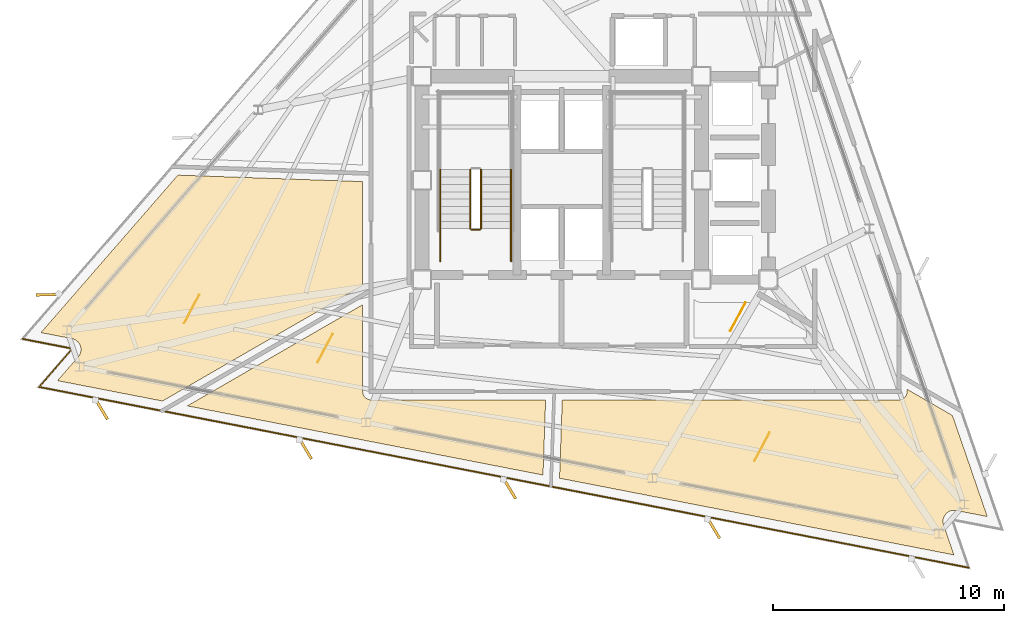
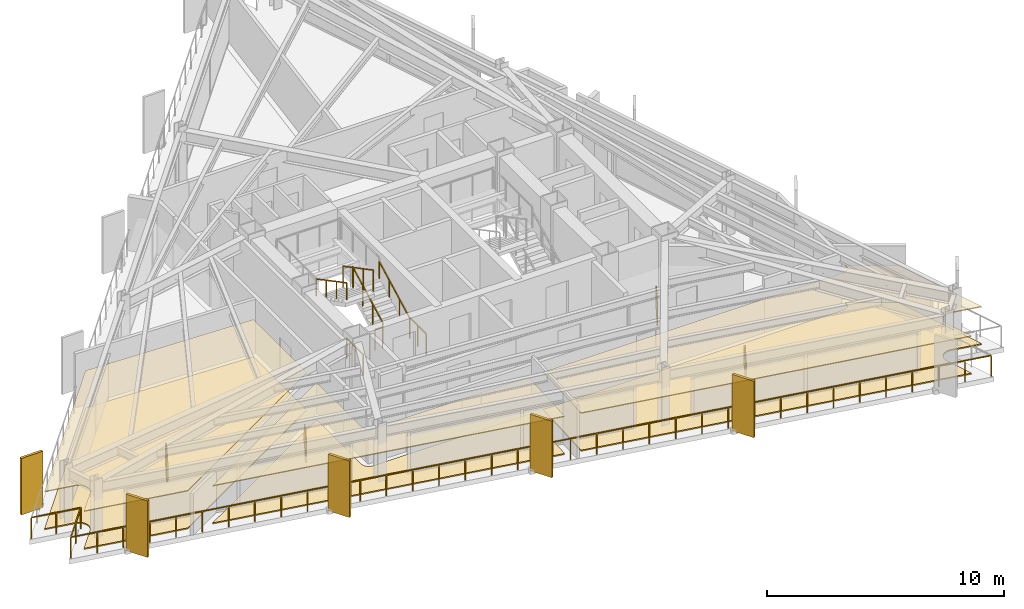
# One storey, part 11 of 13: 10 coverings, 8 railings, 5 shading devices.
"""IFC4 building model written with IfcOpenShell, lengths in metres."""

from ifc_helpers import new_model, si_unit, direction, frame, origin, origin_2d, place, context, subcontext, project, spatial, polyline, rectangle, outline, extrude, material, layer, layer_set, type_object, element, save


model = new_model("IFC4")

# Units and contexts
model_context = context("Model", 3, precision=1e-05, world=origin(), true_north=direction((0.0, 1.0)))
body_context = subcontext(model_context, "Body", "Model", "MODEL_VIEW")
ifc_project = project(units=[si_unit("LENGTHUNIT", "METRE"), si_unit("AREAUNIT", "SQUARE_METRE"), si_unit("VOLUMEUNIT", "CUBIC_METRE"), si_unit("PLANEANGLEUNIT", "RADIAN"), si_unit("MASSUNIT", "GRAM", prefix="KILO")], contexts=[model_context])

# Site, building, storey
site_placement = place(None, origin())
site = spatial("IfcSite", under=ifc_project, at=site_placement, CompositionType="ELEMENT")
building_placement = place(site_placement, origin())
building = spatial("IfcBuilding", under=site, at=building_placement, Name="Rocaltana Carrier Exchange", CompositionType="ELEMENT")
storey_placement = place(building_placement, frame((0.0, 0.0, 165.43994140625)))
storey = spatial("IfcBuildingStorey", under=building, at=storey_placement, Name="L52", CompositionType="ELEMENT", Elevation=165.43994140625)

# Coverings
ifc_material_1 = material(Name="Calcium Sulphate & Aluminium Pedestal", Category="aluminium")
ifc_layer_1 = layer(ifc_material_1, 0.06005859375)
ifc_layer_set_1 = layer_set([ifc_layer_1], Name="Calcium Sulphate & Aluminium Pedestal")
covering_type_1 = type_object("IfcCoveringType", Name="Anti-Static Raised Exchange Access Floor 60", PredefinedType="FLOORING", material=ifc_layer_set_1)
covering_1_placement = place(storey_placement, origin())
element("IfcCovering", 1, at=covering_1_placement, inside=storey, type_object=covering_type_1, Name="L52 Quiet Focus Lounge Finish Floor", PredefinedType="FLOORING", context=body_context, shape_type="SweptSolid", body=[
    extrude(outline(polyline([(-20.927490234375, -7.6455078125), (-20.918701171875, -7.635009765625), (-20.906494140625, -7.619140625), (-20.890380859375, -7.596435546875), (-20.879638671875, -7.57958984375), (-20.86572265625, -7.555419921875), (-20.85693359375, -7.53759765625), (-20.845703125, -7.511962890625), (-20.83837890625, -7.493408203125), (-20.829833984375, -7.466796875), (-20.824462890625, -7.447509765625), (-20.818603515625, -7.42041015625), (-20.815185546875, -7.400634765625), (-20.81201171875, -7.372802734375), (-20.810546875, -7.35302734375), (-20.81005859375, -7.3251953125), (-20.810791015625, -7.30517578125), (-20.81298828125, -7.27734375), (-20.815673828125, -7.257568359375), (-20.82080078125, -7.230224609375), (-20.8251953125, -7.210693359375), (-20.8330078125, -7.183837890625), (-20.839599609375, -7.1650390625), (-20.849853515625, -7.13916015625), (-20.8583984375, -7.12109375), (-20.87109375, -7.09619140625), (-20.88134765625, -7.0791015625), (-20.896484375, -7.055908203125), (-20.908447265625, -7.039794921875), (-20.92578125, -7.01806640625), (-20.939208984375, -7.003173828125), (-20.958984375, -6.9833984375), (-20.9736328125, -6.969970703125), (-20.9951171875, -6.9521484375), (-21.010986328125, -6.940185546875), (-21.0341796875, -6.924560546875), (-21.051513671875, -6.914306640625), (-21.075927734375, -6.901123046875), (-21.093994140625, -6.892578125), (-21.119873046875, -6.882080078125), (-21.138671875, -6.875244140625), (-21.165283203125, -6.8671875), (-21.184814453125, -6.862548828125), (-21.1982421875, -6.859619140625), (-22.541748046875, -6.598388671875), (-16.61474609375, 0.219970703125), (-8.610107421875, -0.0595703125), (-8.610107421875, -4.555419921875), (-17.281494140625, -9.561767578125), (-21.82568359375, -8.6787109375), (-20.927490234375, -7.6455078125)])), origin(), (0.0, 0.0, 1.0), 0.06005859375),
])
covering_2_placement = place(storey_placement, origin())
element("IfcCovering", 2, at=covering_2_placement, inside=storey, type_object=covering_type_1, Name="L52 Quiet Focus Lounge Finish Floor", PredefinedType="FLOORING", context=body_context, shape_type="SweptSolid", body=[
    extrude(outline(polyline([(-16.204345703125, -9.771240234375), (-8.610107421875, -5.38671875), (-8.610107421875, -9.14990234375), (-8.609619140625, -9.163818359375), (-8.609375, -9.171630859375), (-8.606689453125, -9.198974609375), (-8.60546875, -9.206787109375), (-8.60009765625, -9.233642578125), (-8.59814453125, -9.2412109375), (-8.590087890625, -9.267578125), (-8.58740234375, -9.27490234375), (-8.576904296875, -9.30029296875), (-8.57373046875, -9.307373046875), (-8.560791015625, -9.331787109375), (-8.556640625, -9.33837890625), (-8.54150390625, -9.361083984375), (-8.53662109375, -9.367431640625), (-8.519287109375, -9.388916015625), (-8.513916015625, -9.39453125), (-8.49462890625, -9.4140625), (-8.48876953125, -9.419189453125), (-8.467529296875, -9.436767578125), (-8.461181640625, -9.44140625), (-8.4384765625, -9.456787109375), (-8.431640625, -9.460693359375), (-8.407470703125, -9.4736328125), (-8.400390625, -9.47705078125), (-8.375, -9.487548828125), (-8.36767578125, -9.490234375), (-8.34130859375, -9.498291015625), (-8.33349609375, -9.5), (-8.306640625, -9.50537109375), (-8.298828125, -9.506591796875), (-8.271484375, -9.50927734375), (-8.263671875, -9.509765625), (-8.25, -9.510009765625), (-0.6923828125, -9.510009765625), (-0.805908203125, -12.764404296875), (-16.204345703125, -9.771240234375)])), origin(), (0.0, 0.0, 1.0), 0.06005859375),
])
covering_3_placement = place(storey_placement, origin())
element("IfcCovering", 3, at=covering_3_placement, inside=storey, type_object=covering_type_1, Name="L52 Cloud Architecture Office Finish Floor", PredefinedType="FLOORING", context=body_context, shape_type="SweptSolid", body=[
    extrude(outline(polyline([(18.4287109375, -14.562255859375), (17.085205078125, -14.301025390625), (17.0712890625, -14.298828125), (17.051513671875, -14.2958984375), (17.023681640625, -14.29345703125), (17.00390625, -14.29248046875), (16.975830078125, -14.292724609375), (16.9560546875, -14.2939453125), (16.92822265625, -14.296875), (16.90869140625, -14.300048828125), (16.88134765625, -14.305908203125), (16.862060546875, -14.310791015625), (16.83544921875, -14.319091796875), (16.816650390625, -14.326171875), (16.791015625, -14.337158203125), (16.773193359375, -14.345947265625), (16.748779296875, -14.359619140625), (16.731689453125, -14.3701171875), (16.708984375, -14.385986328125), (16.693115234375, -14.398193359375), (16.671875, -14.416259765625), (16.6572265625, -14.429931640625), (16.637939453125, -14.449951171875), (16.625, -14.465087890625), (16.607666015625, -14.487060546875), (16.59619140625, -14.50341796875), (16.581298828125, -14.52685546875), (16.5712890625, -14.544189453125), (16.558837890625, -14.569091796875), (16.55078125, -14.58740234375), (16.540771484375, -14.613525390625), (16.534423828125, -14.63232421875), (16.527099609375, -14.6591796875), (16.522705078125, -14.6787109375), (16.518310546875, -14.706298828125), (16.515869140625, -14.72607421875), (16.513916015625, -14.75390625), (16.513671875, -14.77392578125), (16.5146484375, -14.8017578125), (16.51611328125, -14.82177734375), (16.52001953125, -14.849365234375), (16.5234375, -14.868896484375), (16.52978515625, -14.89599609375), (16.535400390625, -14.915283203125), (16.539794921875, -14.9287109375), (16.9853515625, -16.22265625), (-0.09033203125, -12.9033203125), (0.028076171875, -9.510009765625), (14.60009765625, -9.510009765625), (14.61376953125, -9.509765625), (14.62158203125, -9.50927734375), (14.64892578125, -9.506591796875), (14.65673828125, -9.50537109375), (14.68359375, -9.5), (14.69140625, -9.498291015625), (14.717529296875, -9.490234375), (14.724853515625, -9.487548828125), (14.750244140625, -9.47705078125), (14.75732421875, -9.4736328125), (14.78173828125, -9.460693359375), (14.788330078125, -9.456787109375), (14.811279296875, -9.44140625), (14.8173828125, -9.436767578125), (14.8388671875, -9.419189453125), (14.844482421875, -9.4140625), (14.864013671875, -9.39453125), (14.869384765625, -9.388916015625), (14.88671875, -9.367431640625), (14.891357421875, -9.361083984375), (14.90673828125, -9.33837890625), (14.91064453125, -9.331787109375), (14.923583984375, -9.307373046875), (14.927001953125, -9.30029296875), (14.9375, -9.27490234375), (14.940185546875, -9.267578125), (14.9482421875, -9.2412109375), (14.9501953125, -9.233642578125), (14.955322265625, -9.206787109375), (14.95654296875, -9.198974609375), (14.959228515625, -9.171630859375), (14.959716796875, -9.163818359375), (14.9599609375, -9.14990234375), (14.9599609375, -9.052978515625), (16.92138671875, -10.185302734375), (18.4287109375, -14.562255859375)])), origin(), (0.0, 0.0, 1.0), 0.06005859375),
])
ifc_material_2 = material(Name="Mineral Fibre & Powder-Coated Aluminium", Category="aluminium")
ifc_layer_2 = layer(ifc_material_2, 0.044921875)
ifc_layer_set_2 = layer_set([ifc_layer_2], Name="Mineral Fibre & Powder-Coated Aluminium")
covering_type_2 = type_object("IfcCoveringType", Name="Micro-Perforated Acoustic Ceiling 45", PredefinedType="CEILING", material=ifc_layer_set_2)
covering_4_placement = place(storey_placement, frame((0.0, 0.0, 1.93310546875)))
element("IfcCovering", 4, at=covering_4_placement, inside=storey, type_object=covering_type_2, Name="L52 Quiet Focus Lounge Acoustic Ceiling", PredefinedType="CEILING", context=body_context, shape_type="SweptSolid", body=[
    extrude(outline(polyline([(-20.927490234375, -7.6455078125), (-20.918701171875, -7.635009765625), (-20.906494140625, -7.619140625), (-20.890380859375, -7.596435546875), (-20.879638671875, -7.57958984375), (-20.86572265625, -7.555419921875), (-20.85693359375, -7.53759765625), (-20.845703125, -7.511962890625), (-20.83837890625, -7.493408203125), (-20.829833984375, -7.466796875), (-20.824462890625, -7.447509765625), (-20.818603515625, -7.42041015625), (-20.815185546875, -7.400634765625), (-20.81201171875, -7.372802734375), (-20.810546875, -7.35302734375), (-20.81005859375, -7.3251953125), (-20.810791015625, -7.30517578125), (-20.81298828125, -7.27734375), (-20.815673828125, -7.257568359375), (-20.82080078125, -7.230224609375), (-20.8251953125, -7.210693359375), (-20.8330078125, -7.183837890625), (-20.839599609375, -7.1650390625), (-20.849853515625, -7.13916015625), (-20.8583984375, -7.12109375), (-20.87109375, -7.09619140625), (-20.88134765625, -7.0791015625), (-20.896484375, -7.055908203125), (-20.908447265625, -7.039794921875), (-20.92578125, -7.01806640625), (-20.939208984375, -7.003173828125), (-20.958984375, -6.9833984375), (-20.9736328125, -6.969970703125), (-20.9951171875, -6.9521484375), (-21.010986328125, -6.940185546875), (-21.0341796875, -6.924560546875), (-21.051513671875, -6.914306640625), (-21.075927734375, -6.901123046875), (-21.093994140625, -6.892578125), (-21.119873046875, -6.882080078125), (-21.138671875, -6.875244140625), (-21.165283203125, -6.8671875), (-21.184814453125, -6.862548828125), (-21.1982421875, -6.859619140625), (-22.541748046875, -6.598388671875), (-16.61474609375, 0.219970703125), (-8.610107421875, -0.0595703125), (-8.610107421875, -4.555419921875), (-17.281494140625, -9.561767578125), (-21.82568359375, -8.6787109375), (-20.927490234375, -7.6455078125)])), origin(), (0.0, 0.0, 1.0), 0.044921875),
])
covering_5_placement = place(storey_placement, frame((0.0, 0.0, 1.93310546875)))
element("IfcCovering", 5, at=covering_5_placement, inside=storey, type_object=covering_type_2, Name="L52 Quiet Focus Lounge Acoustic Ceiling", PredefinedType="CEILING", context=body_context, shape_type="SweptSolid", body=[
    extrude(outline(polyline([(-16.204345703125, -9.771240234375), (-8.610107421875, -5.38671875), (-8.610107421875, -9.14990234375), (-8.609619140625, -9.163818359375), (-8.609375, -9.171630859375), (-8.606689453125, -9.198974609375), (-8.60546875, -9.206787109375), (-8.60009765625, -9.233642578125), (-8.59814453125, -9.2412109375), (-8.590087890625, -9.267578125), (-8.58740234375, -9.27490234375), (-8.576904296875, -9.30029296875), (-8.57373046875, -9.307373046875), (-8.560791015625, -9.331787109375), (-8.556640625, -9.33837890625), (-8.54150390625, -9.361083984375), (-8.53662109375, -9.367431640625), (-8.519287109375, -9.388916015625), (-8.513916015625, -9.39453125), (-8.49462890625, -9.4140625), (-8.48876953125, -9.419189453125), (-8.467529296875, -9.436767578125), (-8.461181640625, -9.44140625), (-8.4384765625, -9.456787109375), (-8.431640625, -9.460693359375), (-8.407470703125, -9.4736328125), (-8.400390625, -9.47705078125), (-8.375, -9.487548828125), (-8.36767578125, -9.490234375), (-8.34130859375, -9.498291015625), (-8.33349609375, -9.5), (-8.306640625, -9.50537109375), (-8.298828125, -9.506591796875), (-8.271484375, -9.50927734375), (-8.263671875, -9.509765625), (-8.25, -9.510009765625), (-0.6923828125, -9.510009765625), (-0.805908203125, -12.764404296875), (-16.204345703125, -9.771240234375)])), origin(), (0.0, 0.0, 1.0), 0.044921875),
])
covering_6_placement = place(storey_placement, frame((0.0, 0.0, 1.93310546875)))
element("IfcCovering", 6, at=covering_6_placement, inside=storey, type_object=covering_type_2, Name="L52 Cloud Architecture Office Acoustic Ceiling", PredefinedType="CEILING", context=body_context, shape_type="SweptSolid", body=[
    extrude(outline(polyline([(18.4287109375, -14.562255859375), (17.085205078125, -14.301025390625), (17.0712890625, -14.298828125), (17.051513671875, -14.2958984375), (17.023681640625, -14.29345703125), (17.00390625, -14.29248046875), (16.975830078125, -14.292724609375), (16.9560546875, -14.2939453125), (16.92822265625, -14.296875), (16.90869140625, -14.300048828125), (16.88134765625, -14.305908203125), (16.862060546875, -14.310791015625), (16.83544921875, -14.319091796875), (16.816650390625, -14.326171875), (16.791015625, -14.337158203125), (16.773193359375, -14.345947265625), (16.748779296875, -14.359619140625), (16.731689453125, -14.3701171875), (16.708984375, -14.385986328125), (16.693115234375, -14.398193359375), (16.671875, -14.416259765625), (16.6572265625, -14.429931640625), (16.637939453125, -14.449951171875), (16.625, -14.465087890625), (16.607666015625, -14.487060546875), (16.59619140625, -14.50341796875), (16.581298828125, -14.52685546875), (16.5712890625, -14.544189453125), (16.558837890625, -14.569091796875), (16.55078125, -14.58740234375), (16.540771484375, -14.613525390625), (16.534423828125, -14.63232421875), (16.527099609375, -14.6591796875), (16.522705078125, -14.6787109375), (16.518310546875, -14.706298828125), (16.515869140625, -14.72607421875), (16.513916015625, -14.75390625), (16.513671875, -14.77392578125), (16.5146484375, -14.8017578125), (16.51611328125, -14.82177734375), (16.52001953125, -14.849365234375), (16.5234375, -14.868896484375), (16.52978515625, -14.89599609375), (16.535400390625, -14.915283203125), (16.539794921875, -14.9287109375), (16.9853515625, -16.22265625), (-0.09033203125, -12.9033203125), (0.028076171875, -9.510009765625), (14.60009765625, -9.510009765625), (14.61376953125, -9.509765625), (14.62158203125, -9.50927734375), (14.64892578125, -9.506591796875), (14.65673828125, -9.50537109375), (14.68359375, -9.5), (14.69140625, -9.498291015625), (14.717529296875, -9.490234375), (14.724853515625, -9.487548828125), (14.750244140625, -9.47705078125), (14.75732421875, -9.4736328125), (14.78173828125, -9.460693359375), (14.788330078125, -9.456787109375), (14.811279296875, -9.44140625), (14.8173828125, -9.436767578125), (14.8388671875, -9.419189453125), (14.844482421875, -9.4140625), (14.864013671875, -9.39453125), (14.869384765625, -9.388916015625), (14.88671875, -9.367431640625), (14.891357421875, -9.361083984375), (14.90673828125, -9.33837890625), (14.91064453125, -9.331787109375), (14.923583984375, -9.307373046875), (14.927001953125, -9.30029296875), (14.9375, -9.27490234375), (14.940185546875, -9.267578125), (14.9482421875, -9.2412109375), (14.9501953125, -9.233642578125), (14.955322265625, -9.206787109375), (14.95654296875, -9.198974609375), (14.959228515625, -9.171630859375), (14.959716796875, -9.163818359375), (14.9599609375, -9.14990234375), (14.9599609375, -9.052978515625), (16.92138671875, -10.185302734375), (18.4287109375, -14.562255859375)])), origin(), (0.0, 0.0, 1.0), 0.044921875),
])

# Railings
ifc_material_3 = material(Name="Brushed Architectural Stainless Tube", Category="steel")
ifc_layer_3 = layer(ifc_material_3, 0.048095703125)
ifc_layer_set_3 = layer_set([ifc_layer_3], Name="Brushed Architectural Stainless Tube")
railing_type_1 = type_object("IfcRailingType", Name="Stair Wall Handrail 920", PredefinedType="HANDRAIL", material=ifc_layer_set_3)
railing_1_placement = place(storey_placement, frame((-2.18994140625, -2.10009765625, 0.1689453125)))
element("IfcRailing", 7, at=railing_1_placement, inside=storey, type_object=railing_type_1, Name="L52 ST-1 stair handrail 1", PredefinedType="HANDRAIL", context=body_context, shape_type="SweptSolid", body=[
    extrude(rectangle(XDim=0.048095703125, YDim=0.048095703125, at=origin_2d()), frame((0.0, 0.0, 0.8759765625), z_axis=(0.0, 0.884394423565, 0.466740295633), x_axis=(-1.0, 0.0, 0.0)), (0.0, 0.0, 1.0), 2.894775390625),
    extrude(rectangle(XDim=0.0419921875, YDim=0.0419921875, at=origin_2d()), origin(), (0.0, 0.0, 1.0), 0.851806640625),
    extrude(rectangle(XDim=0.0419921875, YDim=0.0419921875, at=origin_2d()), frame((0.0, 0.853271484375, 0.450439453125)), (0.0, 0.0, 1.0), 0.851806640625),
    extrude(rectangle(XDim=0.0419921875, YDim=0.0419921875, at=origin_2d()), frame((0.0, 1.706787109375, 0.900634765625)), (0.0, 0.0, 1.0), 0.851806640625),
    extrude(rectangle(XDim=0.0419921875, YDim=0.0419921875, at=origin_2d()), frame((0.0, 2.56005859375, 1.35107421875)), (0.0, 0.0, 1.0), 0.851806640625),
])
railing_2_placement = place(storey_placement, frame((-5.25, 0.4599609375, 1.68896484375)))
element("IfcRailing", 8, at=railing_2_placement, inside=storey, type_object=railing_type_1, Name="L52 ST-1 stair handrail 2", PredefinedType="HANDRAIL", context=body_context, shape_type="SweptSolid", body=[
    extrude(rectangle(XDim=0.048095703125, YDim=0.048095703125, at=origin_2d()), frame((0.0, 0.0, 0.8759765625), z_axis=(0.0, -0.884394423565, 0.466740295633), x_axis=(1.0, 0.0, 0.0)), (0.0, 0.0, 1.0), 2.894775390625),
    extrude(rectangle(XDim=0.0419921875, YDim=0.0419921875, at=origin_2d()), origin(), (0.0, 0.0, 1.0), 0.851806640625),
    extrude(rectangle(XDim=0.0419921875, YDim=0.0419921875, at=origin_2d()), frame((0.0, -0.853271484375, 0.450439453125)), (0.0, 0.0, 1.0), 0.851806640625),
    extrude(rectangle(XDim=0.0419921875, YDim=0.0419921875, at=origin_2d()), frame((0.0, -1.706787109375, 0.900634765625)), (0.0, 0.0, 1.0), 0.851806640625),
    extrude(rectangle(XDim=0.0419921875, YDim=0.0419921875, at=origin_2d()), frame((0.0, -2.56005859375, 1.35107421875)), (0.0, 0.0, 1.0), 0.851806640625),
])
ifc_material_4 = material(Name="Powder-Coated Aluminium 6063-T6", Category="aluminium")
ifc_layer_4 = layer(ifc_material_4, 0.048095703125)
ifc_layer_set_4 = layer_set([ifc_layer_4], Name="Powder-Coated Aluminium 6063-T6")
railing_type_2 = type_object("IfcRailingType", Name="Stair Well Guardrail 1100", PredefinedType="GUARDRAIL", material=ifc_layer_set_4)
railing_3_placement = place(storey_placement, frame((-3.489990234375, -2.10009765625, 0.1689453125)))
element("IfcRailing", 9, at=railing_3_placement, inside=storey, type_object=railing_type_2, Name="L52 ST-1 stair guard 1", PredefinedType="GUARDRAIL", context=body_context, shape_type="SweptSolid", body=[
    extrude(rectangle(XDim=0.048095703125, YDim=0.048095703125, at=origin_2d()), frame((0.0, 0.0, 1.076171875), z_axis=(0.0, 0.884394423565, 0.466740295633), x_axis=(-1.0, 0.0, 0.0)), (0.0, 0.0, 1.0), 2.894775390625),
    extrude(rectangle(XDim=0.0419921875, YDim=0.0419921875, at=origin_2d()), origin(), (0.0, 0.0, 1.0), 1.052001953125),
    extrude(rectangle(XDim=0.0419921875, YDim=0.0419921875, at=origin_2d()), frame((0.0, 0.853271484375, 0.450439453125)), (0.0, 0.0, 1.0), 1.052001953125),
    extrude(rectangle(XDim=0.0419921875, YDim=0.0419921875, at=origin_2d()), frame((0.0, 1.706787109375, 0.900634765625)), (0.0, 0.0, 1.0), 1.052001953125),
    extrude(rectangle(XDim=0.0419921875, YDim=0.0419921875, at=origin_2d()), frame((0.0, 2.56005859375, 1.35107421875)), (0.0, 0.0, 1.0), 1.052001953125),
])
railing_4_placement = place(storey_placement, frame((-3.949951171875, 0.4599609375, 1.68896484375)))
element("IfcRailing", 10, at=railing_4_placement, inside=storey, type_object=railing_type_2, Name="L52 ST-1 stair guard 6", PredefinedType="GUARDRAIL", context=body_context, shape_type="SweptSolid", body=[
    extrude(rectangle(XDim=0.048095703125, YDim=0.048095703125, at=origin_2d()), frame((0.0, 0.0, 1.076171875), z_axis=(0.0, -0.884394423565, 0.466740295633), x_axis=(1.0, 0.0, 0.0)), (0.0, 0.0, 1.0), 2.894775390625),
    extrude(rectangle(XDim=0.0419921875, YDim=0.0419921875, at=origin_2d()), origin(), (0.0, 0.0, 1.0), 1.052001953125),
    extrude(rectangle(XDim=0.0419921875, YDim=0.0419921875, at=origin_2d()), frame((0.0, -0.853271484375, 0.450439453125)), (0.0, 0.0, 1.0), 1.052001953125),
    extrude(rectangle(XDim=0.0419921875, YDim=0.0419921875, at=origin_2d()), frame((0.0, -1.706787109375, 0.900634765625)), (0.0, 0.0, 1.0), 1.052001953125),
    extrude(rectangle(XDim=0.0419921875, YDim=0.0419921875, at=origin_2d()), frame((0.0, -2.56005859375, 1.35107421875)), (0.0, 0.0, 1.0), 1.052001953125),
])
railing_5_placement = place(storey_placement, frame((-3.5400390625, -2.14990234375, 0.0)))
element("IfcRailing", 11, at=railing_5_placement, inside=storey, type_object=railing_type_2, Name="L52 ST-1 stair guard 7", PredefinedType="GUARDRAIL", context=body_context, shape_type="SweptSolid", body=[
    extrude(rectangle(XDim=0.048095703125, YDim=0.048095703125, at=origin_2d()), frame((0.0, 0.0, 1.076171875), z_axis=(-1.0, 0.0, 0.0), x_axis=(0.0, -1.0, 0.0)), (0.0, 0.0, 1.0), 0.35986328125),
    extrude(rectangle(XDim=0.0419921875, YDim=0.0419921875, at=origin_2d()), origin(), (0.0, 0.0, 1.0), 1.052001953125),
    extrude(rectangle(XDim=0.0419921875, YDim=0.0419921875, at=origin_2d()), frame((-0.35986328125, 0.0, 0.0)), (0.0, 0.0, 1.0), 1.052001953125),
])
for number, where, name in (
    (12, (-2.18994140625, -3.5, 0.0), "L52 ST-1 stair guard 8"),
    (13, (-5.25, -3.5, 0.0), "L52 ST-1 stair guard 9"),
):
    element("IfcRailing", number, at=place(storey_placement, frame(where)), inside=storey, type_object=railing_type_2, Name=name, PredefinedType="GUARDRAIL", context=body_context, shape_type="SweptSolid", body=[
        extrude(rectangle(XDim=0.048095703125, YDim=0.048095703125, at=origin_2d()), frame((0.0, 0.0, 1.076171875), z_axis=(0.0, 1.0, 0.0), x_axis=(-1.0, 0.0, 0.0)), (0.0, 0.0, 1.0), 1.39990234375),
        extrude(rectangle(XDim=0.0419921875, YDim=0.0419921875, at=origin_2d()), origin(), (0.0, 0.0, 1.0), 1.052001953125),
        extrude(rectangle(XDim=0.0419921875, YDim=0.0419921875, at=origin_2d()), frame((0.0, 0.699951171875, 0.0)), (0.0, 0.0, 1.0), 1.052001953125),
        extrude(rectangle(XDim=0.0419921875, YDim=0.0419921875, at=origin_2d()), frame((0.0, 1.39990234375, 0.0)), (0.0, 0.0, 1.0), 1.052001953125),
    ])

# Coverings
ifc_material_5 = material(Name="Honed Piedra Muneca Sandstone", Category="masonry")
ifc_layer_5 = layer(ifc_material_5, 0.034912109375)
ifc_layer_set_5 = layer_set([ifc_layer_5], Name="Honed Piedra Muneca Sandstone")
covering_type_3 = type_object("IfcCoveringType", Name="Stone Facade Cladding 35", PredefinedType="CLADDING", material=ifc_layer_set_5)
for number, where, z_axis, x_axis, name in (
    (14, (-16.0166015625, -5.576904296875, 0.0), (0.0, 0.0, 1.0), (0.469471562786, 0.882947592859, 0.0), "L52 Stone Facade Cladding Panel 1"),
    (15, (-10.239501953125, -7.268310546875, 0.0), (0.0, 0.0, 1.0), (0.469471562786, 0.882947592859, 0.0), "L52 Stone Facade Cladding Panel 2"),
    (16, (8.67333984375, -11.54443359375, 0.0), (0.0, 0.0, 1.0), (0.469471562786, 0.882947592859, 0.0), "L52 Stone Facade Cladding Panel 3"),
    (17, (7.630615234375, -5.912841796875, 0.0), (0.0, 0.0, 1.0), (0.469471562786, 0.882947592859, 0.0), "L52 Stone Facade Cladding Panel 4"),
):
    element("IfcCovering", number, at=place(storey_placement, frame(where, z_axis=z_axis, x_axis=x_axis)), inside=storey, type_object=covering_type_3, Name=name, PredefinedType="CLADDING", context=body_context, shape_type="SweptSolid", body=[
        extrude(rectangle(XDim=1.39990234375, YDim=0.034912109375, at=origin_2d()), origin(), (0.0, 0.0, 1.0), 1.050048828125),
    ])

# Shading devices
ifc_material_6 = material(Name="Honed Bogota Sandstone & Concrete C45/55", Category="masonry")
ifc_layer_6 = layer(ifc_material_6, 0.1201171875)
ifc_layer_set_6 = layer_set([ifc_layer_6], Name="Honed Bogota Sandstone & Concrete C45/55")
shading_device_type = type_object("IfcShadingDeviceType", Name="Upper Sandstone Shading Fin 1050x120", PredefinedType="USERDEFINED", material=ifc_layer_set_6)
for number, where, z_axis, x_axis, name in (
    (18, (-22.228759765625, -4.95703125, -0.1201171875), (0.0, 0.0, 1.0), (-0.999847695156, -0.017452406437, 0.0), "L52 Sandstone Vertical Fin F2-05"),
    (19, (-19.93115234375, -9.90283203125, -0.1201171875), (0.0, 0.0, 1.0), (0.51503807491, -0.857167300702, 0.0), "L52 Sandstone Vertical Fin F3-01"),
    (20, (-11.0966796875, -11.6201171875, -0.1201171875), (0.0, 0.0, 1.0), (0.51503807491, -0.857167300702, 0.0), "L52 Sandstone Vertical Fin F3-02"),
    (21, (-2.261962890625, -13.33740234375, -0.1201171875), (0.0, 0.0, 1.0), (0.51503807491, -0.857167300702, 0.0), "L52 Sandstone Vertical Fin F3-03"),
    (22, (6.57275390625, -15.0546875, -0.1201171875), (0.0, 0.0, 1.0), (0.51503807491, -0.857167300702, 0.0), "L52 Sandstone Vertical Fin F3-04"),
):
    element("IfcShadingDevice", number, at=place(storey_placement, frame(where, z_axis=z_axis, x_axis=x_axis)), inside=storey, type_object=shading_device_type, Name=name, ObjectType="FIN", PredefinedType="USERDEFINED", context=body_context, shape_type="SweptSolid", body=[
        extrude(rectangle(XDim=1.050048828125, YDim=0.1201171875, at=origin_2d()), origin(), (0.0, 0.0, 1.0), 2.907958984375),
    ])

# Railing
ifc_material_7 = material(Name="Powder-Coated Aluminium 6063-T6", Category="aluminium")
ifc_layer_7 = layer(ifc_material_7, 0.06005859375)
ifc_layer_set_7 = layer_set([ifc_layer_7], Name="Powder-Coated Aluminium 6063-T6")
railing_type_3 = type_object("IfcRailingType", Name="Wind-Floor & Terrace Perimeter Guardrail 1100", PredefinedType="GUARDRAIL", material=ifc_layer_set_7)
railing_6_placement = place(storey_placement, frame((17.619140625, -16.773681640625, 0.0)))
element("IfcRailing", 23, at=railing_6_placement, inside=storey, type_object=railing_type_3, Name="L52 Perimeter Balcony Guardrail 1", PredefinedType="GUARDRAIL", context=body_context, shape_type="SweptSolid", body=[
    extrude(rectangle(XDim=0.048095703125, YDim=0.048095703125, at=origin_2d()), frame((0.0, 0.0, 1.076171875), z_axis=(-0.981626701724, 0.190811473615, 0.0), x_axis=(-0.190811473615, -0.981626701724, 0.0)), (0.0, 0.0, 1.0), 40.9921875),
    extrude(rectangle(XDim=0.048095703125, YDim=0.048095703125, at=origin_2d()), frame((-40.239013671875, 7.82177734375, 1.076171875), z_axis=(0.656057821484, 0.75471062989, 0.0), x_axis=(-0.75471062989, 0.656057821484, 0.0)), (0.0, 0.0, 1.0), 2.199951171875),
    extrude(rectangle(XDim=0.048095703125, YDim=0.048095703125, at=origin_2d()), frame((-38.795654296875, 9.482177734375, 1.076171875), z_axis=(-0.98163329095, 0.190777572317, 0.0), x_axis=(-0.190777572317, -0.98163329095, 0.0)), (0.0, 0.0, 1.0), 2.19970703125),
    extrude(rectangle(XDim=0.0419921875, YDim=0.0419921875, at=origin_2d()), origin(), (0.0, 0.0, 1.0), 1.052001953125),
    extrude(rectangle(XDim=0.0419921875, YDim=0.0419921875, at=origin_2d()), frame((-1.149658203125, 0.223388671875, 0.0)), (0.0, 0.0, 1.0), 1.052001953125),
    extrude(rectangle(XDim=0.0419921875, YDim=0.0419921875, at=origin_2d()), frame((-2.29931640625, 0.447021484375, 0.0)), (0.0, 0.0, 1.0), 1.052001953125),
    extrude(rectangle(XDim=0.0419921875, YDim=0.0419921875, at=origin_2d()), frame((-3.448974609375, 0.67041015625, 0.0)), (0.0, 0.0, 1.0), 1.052001953125),
    extrude(rectangle(XDim=0.0419921875, YDim=0.0419921875, at=origin_2d()), frame((-4.5986328125, 0.893798828125, 0.0)), (0.0, 0.0, 1.0), 1.052001953125),
    extrude(rectangle(XDim=0.0419921875, YDim=0.0419921875, at=origin_2d()), frame((-5.74853515625, 1.117431640625, 0.0)), (0.0, 0.0, 1.0), 1.052001953125),
    extrude(rectangle(XDim=0.0419921875, YDim=0.0419921875, at=origin_2d()), frame((-6.898193359375, 1.3408203125, 0.0)), (0.0, 0.0, 1.0), 1.052001953125),
    extrude(rectangle(XDim=0.0419921875, YDim=0.0419921875, at=origin_2d()), frame((-8.0478515625, 1.564453125, 0.0)), (0.0, 0.0, 1.0), 1.052001953125),
    extrude(rectangle(XDim=0.0419921875, YDim=0.0419921875, at=origin_2d()), frame((-9.197509765625, 1.787841796875, 0.0)), (0.0, 0.0, 1.0), 1.052001953125),
    extrude(rectangle(XDim=0.0419921875, YDim=0.0419921875, at=origin_2d()), frame((-10.34716796875, 2.01123046875, 0.0)), (0.0, 0.0, 1.0), 1.052001953125),
    extrude(rectangle(XDim=0.0419921875, YDim=0.0419921875, at=origin_2d()), frame((-11.496826171875, 2.23486328125, 0.0)), (0.0, 0.0, 1.0), 1.052001953125),
    extrude(rectangle(XDim=0.0419921875, YDim=0.0419921875, at=origin_2d()), frame((-12.646484375, 2.458251953125, 0.0)), (0.0, 0.0, 1.0), 1.052001953125),
    extrude(rectangle(XDim=0.0419921875, YDim=0.0419921875, at=origin_2d()), frame((-13.796142578125, 2.681640625, 0.0)), (0.0, 0.0, 1.0), 1.052001953125),
    extrude(rectangle(XDim=0.0419921875, YDim=0.0419921875, at=origin_2d()), frame((-14.94580078125, 2.9052734375, 0.0)), (0.0, 0.0, 1.0), 1.052001953125),
    extrude(rectangle(XDim=0.0419921875, YDim=0.0419921875, at=origin_2d()), frame((-16.095703125, 3.128662109375, 0.0)), (0.0, 0.0, 1.0), 1.052001953125),
    extrude(rectangle(XDim=0.0419921875, YDim=0.0419921875, at=origin_2d()), frame((-17.245361328125, 3.352294921875, 0.0)), (0.0, 0.0, 1.0), 1.052001953125),
    extrude(rectangle(XDim=0.0419921875, YDim=0.0419921875, at=origin_2d()), frame((-18.39501953125, 3.57568359375, 0.0)), (0.0, 0.0, 1.0), 1.052001953125),
    extrude(rectangle(XDim=0.0419921875, YDim=0.0419921875, at=origin_2d()), frame((-19.544677734375, 3.799072265625, 0.0)), (0.0, 0.0, 1.0), 1.052001953125),
    extrude(rectangle(XDim=0.0419921875, YDim=0.0419921875, at=origin_2d()), frame((-20.6943359375, 4.022705078125, 0.0)), (0.0, 0.0, 1.0), 1.052001953125),
    extrude(rectangle(XDim=0.0419921875, YDim=0.0419921875, at=origin_2d()), frame((-21.843994140625, 4.24609375, 0.0)), (0.0, 0.0, 1.0), 1.052001953125),
    extrude(rectangle(XDim=0.0419921875, YDim=0.0419921875, at=origin_2d()), frame((-22.99365234375, 4.469482421875, 0.0)), (0.0, 0.0, 1.0), 1.052001953125),
    extrude(rectangle(XDim=0.0419921875, YDim=0.0419921875, at=origin_2d()), frame((-24.143310546875, 4.693115234375, 0.0)), (0.0, 0.0, 1.0), 1.052001953125),
    extrude(rectangle(XDim=0.0419921875, YDim=0.0419921875, at=origin_2d()), frame((-25.293212890625, 4.91650390625, 0.0)), (0.0, 0.0, 1.0), 1.052001953125),
    extrude(rectangle(XDim=0.0419921875, YDim=0.0419921875, at=origin_2d()), frame((-26.44287109375, 5.14013671875, 0.0)), (0.0, 0.0, 1.0), 1.052001953125),
    extrude(rectangle(XDim=0.0419921875, YDim=0.0419921875, at=origin_2d()), frame((-27.592529296875, 5.363525390625, 0.0)), (0.0, 0.0, 1.0), 1.052001953125),
    extrude(rectangle(XDim=0.0419921875, YDim=0.0419921875, at=origin_2d()), frame((-28.7421875, 5.5869140625, 0.0)), (0.0, 0.0, 1.0), 1.052001953125),
    extrude(rectangle(XDim=0.0419921875, YDim=0.0419921875, at=origin_2d()), frame((-29.891845703125, 5.810546875, 0.0)), (0.0, 0.0, 1.0), 1.052001953125),
    extrude(rectangle(XDim=0.0419921875, YDim=0.0419921875, at=origin_2d()), frame((-31.04150390625, 6.033935546875, 0.0)), (0.0, 0.0, 1.0), 1.052001953125),
    extrude(rectangle(XDim=0.0419921875, YDim=0.0419921875, at=origin_2d()), frame((-32.191162109375, 6.25732421875, 0.0)), (0.0, 0.0, 1.0), 1.052001953125),
    extrude(rectangle(XDim=0.0419921875, YDim=0.0419921875, at=origin_2d()), frame((-33.3408203125, 6.48095703125, 0.0)), (0.0, 0.0, 1.0), 1.052001953125),
    extrude(rectangle(XDim=0.0419921875, YDim=0.0419921875, at=origin_2d()), frame((-34.490478515625, 6.704345703125, 0.0)), (0.0, 0.0, 1.0), 1.052001953125),
    extrude(rectangle(XDim=0.0419921875, YDim=0.0419921875, at=origin_2d()), frame((-35.640380859375, 6.927978515625, 0.0)), (0.0, 0.0, 1.0), 1.052001953125),
    extrude(rectangle(XDim=0.0419921875, YDim=0.0419921875, at=origin_2d()), frame((-36.7900390625, 7.1513671875, 0.0)), (0.0, 0.0, 1.0), 1.052001953125),
    extrude(rectangle(XDim=0.0419921875, YDim=0.0419921875, at=origin_2d()), frame((-37.939697265625, 7.374755859375, 0.0)), (0.0, 0.0, 1.0), 1.052001953125),
    extrude(rectangle(XDim=0.0419921875, YDim=0.0419921875, at=origin_2d()), frame((-39.08935546875, 7.598388671875, 0.0)), (0.0, 0.0, 1.0), 1.052001953125),
    extrude(rectangle(XDim=0.0419921875, YDim=0.0419921875, at=origin_2d()), frame((-40.239013671875, 7.82177734375, 0.0)), (0.0, 0.0, 1.0), 1.052001953125),
    extrude(rectangle(XDim=0.0419921875, YDim=0.0419921875, at=origin_2d()), frame((-39.517333984375, 8.65185546875, 0.0)), (0.0, 0.0, 1.0), 1.052001953125),
    extrude(rectangle(XDim=0.0419921875, YDim=0.0419921875, at=origin_2d()), frame((-38.795654296875, 9.482177734375, 0.0)), (0.0, 0.0, 1.0), 1.052001953125),
    extrude(rectangle(XDim=0.0419921875, YDim=0.0419921875, at=origin_2d()), frame((-39.87548828125, 9.69189453125, 0.0)), (0.0, 0.0, 1.0), 1.052001953125),
    extrude(rectangle(XDim=0.0419921875, YDim=0.0419921875, at=origin_2d()), frame((-40.955078125, 9.90185546875, 0.0)), (0.0, 0.0, 1.0), 1.052001953125),
])

save(model, "model.ifc")
